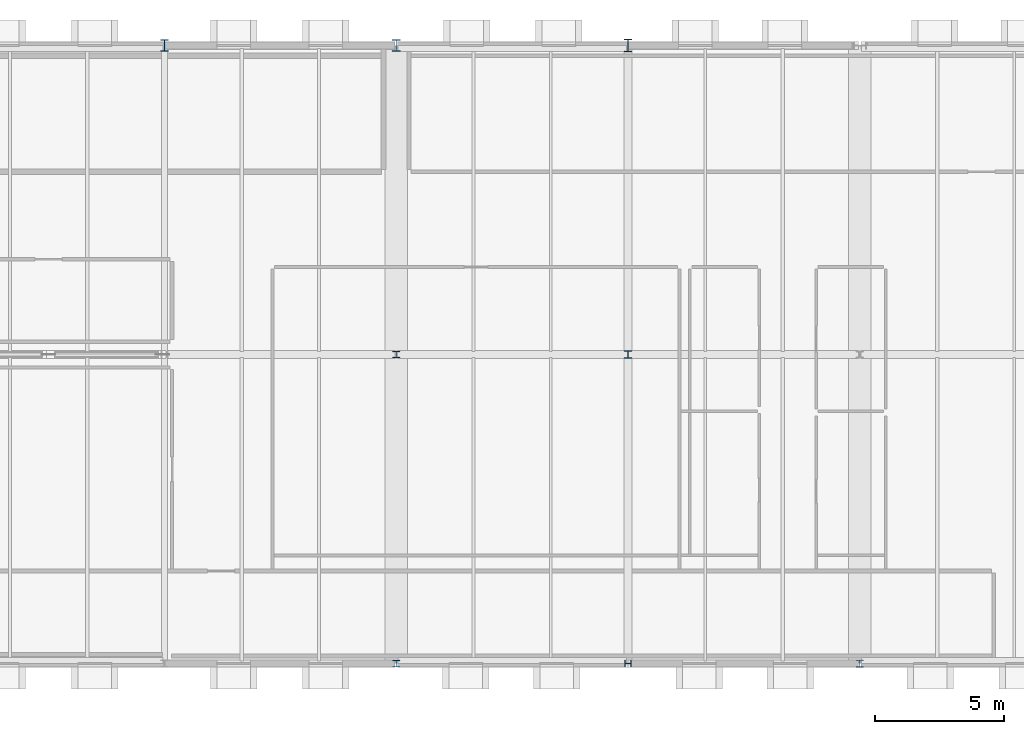
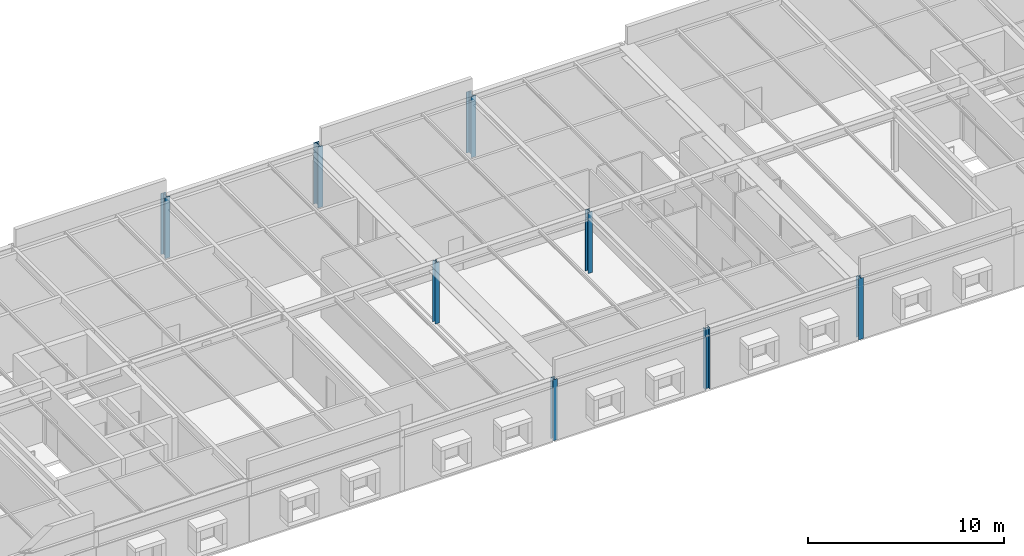
# One storey, part 2 of 16: 8 columns.
"""IFC4 building model written with IfcOpenShell, lengths in metres."""

from ifc_helpers import new_model, si_unit, direction, frame, origin, origin_2d, place, context, subcontext, project, spatial, i_section, extrude, material, material_profile, profile_set, type_object, element, save


model = new_model("IFC4")

# Units and contexts
model_context = context("Model", 3, precision=1e-05, world=origin(), true_north=direction((0.0, 1.0)))
body_context = subcontext(model_context, "Body", "Model", "MODEL_VIEW")
ifc_project = project(units=[si_unit("LENGTHUNIT", "METRE"), si_unit("AREAUNIT", "SQUARE_METRE"), si_unit("VOLUMEUNIT", "CUBIC_METRE"), si_unit("PLANEANGLEUNIT", "RADIAN"), si_unit("MASSUNIT", "GRAM", prefix="KILO")], contexts=[model_context])

# Site, building, storey
site_placement = place(None, origin())
site = spatial("IfcSite", under=ifc_project, at=site_placement, CompositionType="ELEMENT")
building_placement = place(site_placement, origin())
building = spatial("IfcBuilding", under=site, at=building_placement, Name="Montelvaro Courts of Justice", CompositionType="ELEMENT")
storey_placement = place(building_placement, frame((0.0, 0.0, 35.39990234375)))
storey = spatial("IfcBuildingStorey", under=building, at=storey_placement, Name="L08", CompositionType="ELEMENT", Elevation=35.39990234375)

# Columns
ifc_material = material(Name="Steel S355", Category="steel")
ifc_material_profile_1 = material_profile(ifc_material, i_section(OverallWidth=0.260009765625, OverallDepth=0.260009765625, WebThickness=0.010009765625, FlangeThickness=0.017578125, at=origin_2d()), Name="HEB 260")
ifc_profile_set_1 = profile_set([ifc_material_profile_1], Name="Steel S355")
column_type_1 = type_object("IfcColumnType", Name="Col_HEB260", PredefinedType="COLUMN", material=ifc_profile_set_1)
for number, where, z_axis, x_axis, name in (
    (1, (81.0, 0.0, 0.0), (0.0, 0.0, 1.0), (1.0, 0.0, 0.0), "Column C-01 L08 10/A"),
    (2, (81.0, 12.0, 0.0), (0.0, 0.0, 1.0), (1.0, 0.0, 0.0), "Column C-01 L08 10/B"),
    (3, (90.0, 0.0, 0.0), (0.0, 0.0, 1.0), (0.0, 1.0, 0.0), "Column C-01 L08 11/A"),
):
    element("IfcColumn", number, at=place(storey_placement, frame(where, z_axis=z_axis, x_axis=x_axis)), inside=storey, type_object=column_type_1, Name=name, PredefinedType="COLUMN", context=body_context, shape_type="SweptSolid", body=[
        extrude(i_section(OverallWidth=0.260009765625, OverallDepth=0.260009765625, WebThickness=0.010009765625, FlangeThickness=0.017578125, at=origin_2d()), origin(), (0.0, 0.0, 1.0), 3.800048828125),
    ])
ifc_material_profile_2 = material_profile(ifc_material, i_section(OverallWidth=0.280029296875, OverallDepth=0.280029296875, WebThickness=0.010498046875, FlangeThickness=0.01806640625, at=origin_2d()), Name="HEB 280")
ifc_profile_set_2 = profile_set([ifc_material_profile_2], Name="Steel S355")
column_type_2 = type_object("IfcColumnType", Name="Col_HEB280", PredefinedType="COLUMN", material=ifc_profile_set_2)
for number, where, z_axis, x_axis, name in (
    (4, (90.0, 12.0, 0.0), (0.0, 0.0, 1.0), (1.0, 0.0, 0.0), "Column C-02 L08 11/B"),
    (5, (99.0, 0.0, 0.0), (0.0, 0.0, 1.0), (1.0, 0.0, 0.0), "Column C-02 L08 12/A"),
):
    element("IfcColumn", number, at=place(storey_placement, frame(where, z_axis=z_axis, x_axis=x_axis)), inside=storey, type_object=column_type_2, Name=name, PredefinedType="COLUMN", context=body_context, shape_type="SweptSolid", body=[
        extrude(i_section(OverallWidth=0.280029296875, OverallDepth=0.280029296875, WebThickness=0.010498046875, FlangeThickness=0.01806640625, at=origin_2d()), origin(), (0.0, 0.0, 1.0), 3.800048828125),
    ])
ifc_material_profile_3 = material_profile(ifc_material, i_section(OverallWidth=0.300048828125, OverallDepth=0.449951171875, WebThickness=0.013916015625, FlangeThickness=0.02587890625, at=origin_2d()), Name="HEB 450")
ifc_profile_set_3 = profile_set([ifc_material_profile_3], Name="Steel S355")
column_type_3 = type_object("IfcColumnType", Name="Col_HEB450", PredefinedType="COLUMN", material=ifc_profile_set_3)
for number, where, z_axis, x_axis, name in (
    (6, (72.0, 24.0, 0.0), (0.0, 0.0, 1.0), (1.0, 0.0, 0.0), "Column C-08 L08 9/C"),
    (7, (81.0, 24.0, 0.0), (0.0, 0.0, 1.0), (1.0, 0.0, 0.0), "Column C-08 L08 10/C"),
):
    element("IfcColumn", number, at=place(storey_placement, frame(where, z_axis=z_axis, x_axis=x_axis)), inside=storey, type_object=column_type_3, Name=name, PredefinedType="COLUMN", context=body_context, shape_type="SweptSolid", body=[
        extrude(i_section(OverallWidth=0.300048828125, OverallDepth=0.449951171875, WebThickness=0.013916015625, FlangeThickness=0.02587890625, at=origin_2d()), origin(), (0.0, 0.0, 1.0), 3.800048828125),
    ])
ifc_material_profile_4 = material_profile(ifc_material, i_section(OverallWidth=0.300048828125, OverallDepth=0.5, WebThickness=0.014404296875, FlangeThickness=0.028076171875, at=origin_2d()), Name="HEB 500")
ifc_profile_set_4 = profile_set([ifc_material_profile_4], Name="Steel S355")
column_type_4 = type_object("IfcColumnType", Name="Col_HEB500", PredefinedType="COLUMN", material=ifc_profile_set_4)
column_placement = place(storey_placement, frame((90.0, 24.0, 0.0), z_axis=(0.0, 0.0, 1.0), x_axis=(1.0, 0.0, 0.0)))
element("IfcColumn", 8, at=column_placement, inside=storey, type_object=column_type_4, Name="Column C-09 L08 11/C", PredefinedType="COLUMN", context=body_context, shape_type="SweptSolid", body=[
    extrude(i_section(OverallWidth=0.300048828125, OverallDepth=0.5, WebThickness=0.014404296875, FlangeThickness=0.028076171875, at=origin_2d()), origin(), (0.0, 0.0, 1.0), 3.800048828125),
])

save(model, "model.ifc")
